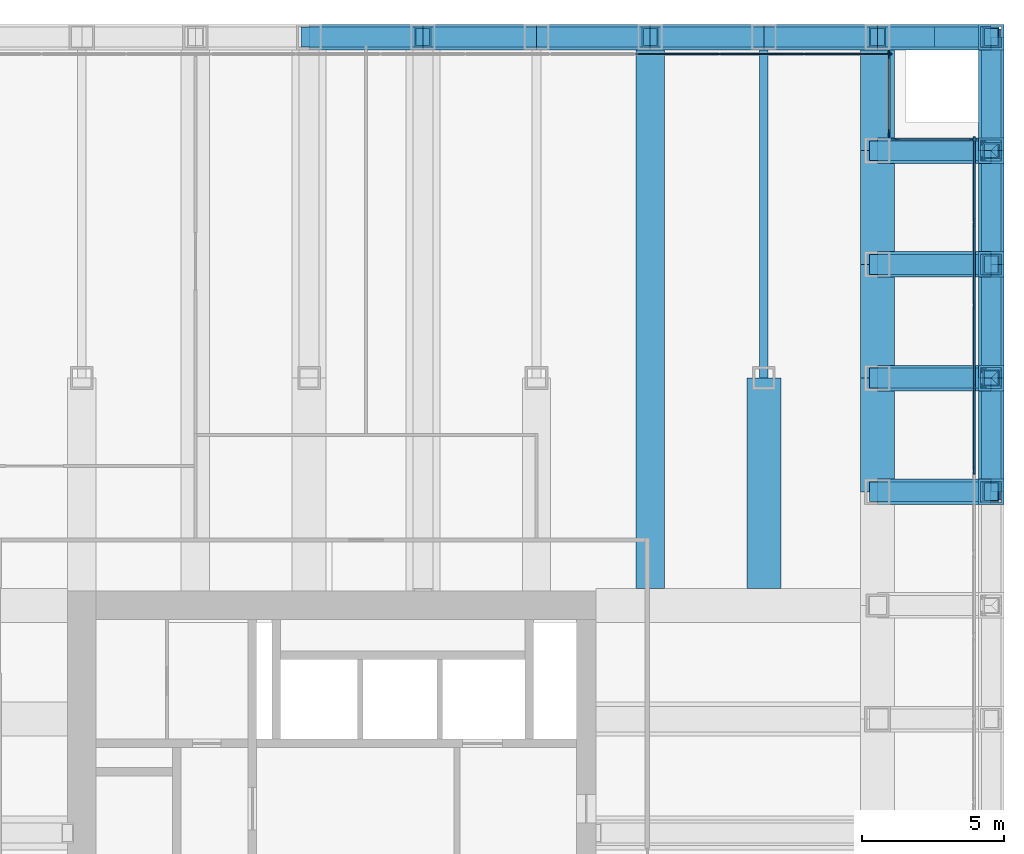
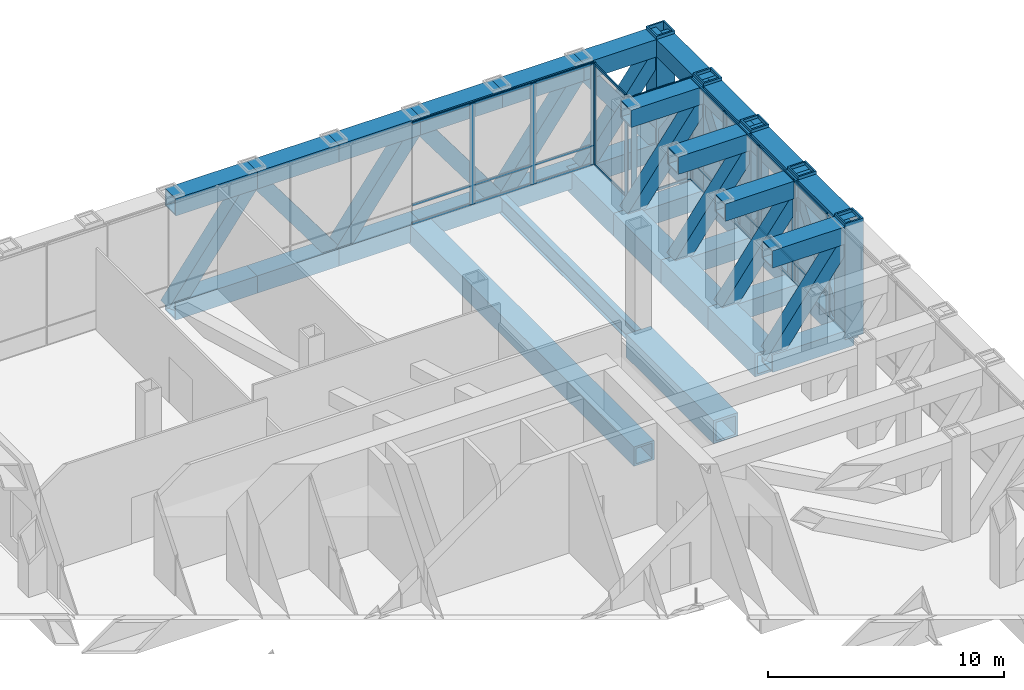
# One storey, part 7 of 12: 57 members, 35 beams, 4 elements without a shape of their own.
"""IFC4 building model written with IfcOpenShell, lengths in metres."""

from ifc_helpers import new_model, si_unit, direction, frame, origin, origin_2d, place, context, subcontext, project, spatial, rectangle, hollow_rectangle, i_section, extrude, material, material_profile, profile_set, type_object, element, aggregate, save


model = new_model("IFC4")

# Units and contexts
model_context = context("Model", 3, precision=1e-05, world=origin(), true_north=direction((0.0, 1.0)))
body_context = subcontext(model_context, "Body", "Model", "MODEL_VIEW")
ifc_project = project(units=[si_unit("LENGTHUNIT", "METRE"), si_unit("AREAUNIT", "SQUARE_METRE"), si_unit("VOLUMEUNIT", "CUBIC_METRE"), si_unit("PLANEANGLEUNIT", "RADIAN"), si_unit("MASSUNIT", "GRAM", prefix="KILO")], contexts=[model_context])

# Site, building, storey
site_placement = place(None, origin())
site = spatial("IfcSite", under=ifc_project, at=site_placement, CompositionType="ELEMENT")
building_placement = place(site_placement, origin())
building = spatial("IfcBuilding", under=site, at=building_placement, Name="Rimbunsela Tower", CompositionType="ELEMENT")
storey_placement = place(building_placement, frame((0.0, 0.0, 203.800048828125)))
storey = spatial("IfcBuildingStorey", under=building, at=storey_placement, Name="L49", CompositionType="ELEMENT", Elevation=203.800048828125)

# Beams
ifc_material_1 = material(Name="Steel BJ 55 (fy 410 MPa)", Category="steel")
ifc_material_profile_1 = material_profile(ifc_material_1, hollow_rectangle(XDim=1.0, YDim=1.0, WallThickness=0.10009765625, at=origin_2d()), Name="BOX 1000x1000x100")
ifc_profile_set_1 = profile_set([ifc_material_profile_1], Name="Steel BJ 55 (fy 410 MPa)")
beam_type_1 = type_object("IfcBeamType", Name="Beam BOX 1000x1000x100", PredefinedType="BEAM", material=ifc_profile_set_1)
beam_1_placement = place(storey_placement, frame((38.0, 36.60009765625, -0.650146484375), z_axis=(0.0, 1.0, 0.0), x_axis=(-1.0, 0.0, 0.0)))
element("IfcBeam", 1, at=beam_1_placement, inside=storey, type_object=beam_type_1, Name="Beam B3 L49", PredefinedType="BEAM", context=body_context, shape_type="SweptSolid", body=[
    extrude(hollow_rectangle(XDim=1.0, YDim=1.0, WallThickness=0.10009765625, at=origin_2d()), origin(), (0.0, 0.0, 1.0), 19.39990234375),
])
ifc_material_2 = material(Name="Steel BJ 55 (fy 410 MPa)", Category="steel")
ifc_material_profile_2 = material_profile(ifc_material_2, hollow_rectangle(XDim=1.199951171875, YDim=1.199951171875, WallThickness=0.125, at=origin_2d()), Name="BOX 1200x1200x125")
ifc_profile_set_2 = profile_set([ifc_material_profile_2], Name="Steel BJ 55 (fy 410 MPa)")
beam_type_2 = type_object("IfcBeamType", Name="Beam BOX 1200x1200x125", PredefinedType="BEAM", material=ifc_profile_set_2)
beam_2_placement = place(storey_placement, frame((42.0, 36.60009765625, -0.75), z_axis=(0.0, 1.0, 0.0), x_axis=(-1.0, 0.0, 0.0)))
element("IfcBeam", 2, at=beam_2_placement, inside=storey, type_object=beam_type_2, Name="Beam B4 L49", PredefinedType="BEAM", context=body_context, shape_type="SweptSolid", body=[
    extrude(hollow_rectangle(XDim=1.199951171875, YDim=1.199951171875, WallThickness=0.125, at=origin_2d()), origin(), (0.0, 0.0, 1.0), 7.39990234375),
])
for number, where, z_axis, x_axis, name in (
    (3, (46.0, 40.0, -0.75), (0.0, 1.0, 0.0), (-1.0, 0.0, 0.0), "Beam B4 L49"),
    (4, (46.0, 44.0, -0.75), (0.0, 1.0, 0.0), (-1.0, 0.0, 0.0), "Beam B4 L49"),
    (5, (46.0, 48.0, -0.75), (0.0, 1.0, 0.0), (-1.0, 0.0, 0.0), "Beam B4 L49"),
    (6, (46.0, 52.0, -0.75), (0.0, 1.0, 0.0), (-1.0, 0.0, 0.0), "Beam B4 L49"),
):
    element("IfcBeam", number, at=place(storey_placement, frame(where, z_axis=z_axis, x_axis=x_axis)), inside=storey, type_object=beam_type_2, Name=name, PredefinedType="BEAM", context=body_context, shape_type="SweptSolid", body=[
        extrude(hollow_rectangle(XDim=1.199951171875, YDim=1.199951171875, WallThickness=0.125, at=origin_2d()), origin(), (0.0, 0.0, 1.0), 4.0),
    ])
ifc_material_3 = material(Name="Steel BJ 55 (fy 410 MPa)", Category="steel")
ifc_material_profile_3 = material_profile(ifc_material_3, i_section(OverallWidth=0.300048828125, OverallDepth=0.89990234375, WebThickness=0.01611328125, FlangeThickness=0.028076171875, FilletRadius=0.028076171875, at=origin_2d()), Name="H 900x300x16x28")
ifc_profile_set_3 = profile_set([ifc_material_profile_3], Name="Steel BJ 55 (fy 410 MPa)")
beam_type_3 = type_object("IfcBeamType", Name="Beam H 900x300x16x28", PredefinedType="BEAM", material=ifc_profile_set_3)
beam_3_placement = place(storey_placement, frame((42.0, 44.0, -0.60009765625), z_axis=(0.0, 1.0, 0.0), x_axis=(-1.0, 0.0, 0.0)))
element("IfcBeam", 7, at=beam_3_placement, inside=storey, type_object=beam_type_3, Name="Beam B2 L49", PredefinedType="BEAM", context=body_context, shape_type="SweptSolid", body=[
    extrude(i_section(OverallWidth=0.300048828125, OverallDepth=0.89990234375, WebThickness=0.01611328125, FlangeThickness=0.028076171875, FilletRadius=0.028076171875, at=origin_2d()), origin(), (0.0, 0.0, 1.0), 12.0),
])

# Curtain wall, members
ifc_material_4 = material(Name="Aluminium curtain wall", Category="aluminium")
curtain_wall_type_1 = type_object("IfcCurtainWallType", Name="Plant floor louvre wall", PredefinedType="USERDEFINED", material=ifc_material_4)
curtain_wall_1_placement = place(storey_placement, origin())
curtain_wall_1 = element("IfcCurtainWall", 8, at=curtain_wall_1_placement, inside=storey, type_object=curtain_wall_type_1, Name="Plant floor louvre wall L49", ObjectType="PLANT FLOOR LOUVRE WALL", PredefinedType="USERDEFINED")
ifc_material_5 = material(Name="Aluminium mullion", Category="aluminium")
ifc_material_profile_4 = material_profile(ifc_material_5, rectangle(XDim=0.06005859375, YDim=0.25, at=origin_2d()), Name="Mullion 60x250")
ifc_profile_set_4 = profile_set([ifc_material_profile_4], Name="Aluminium mullion")
member_type_1 = type_object("IfcMemberType", Name="Curtain wall mullion 60x250", PredefinedType="MULLION", material=ifc_profile_set_4)
member_1_placement = place(storey_placement, frame((49.39990234375, 40.742919921875, 0.0), z_axis=(0.0, 0.0, 1.0), x_axis=(-1.0, 0.0, 0.0)))
member_1 = element("IfcMember", 9, at=member_1_placement, type_object=member_type_1, Name="CW3 mullion 11", PredefinedType="MULLION", context=body_context, shape_type="SweptSolid", body=[
    extrude(rectangle(XDim=0.06005859375, YDim=0.25, at=origin_2d()), origin(), (0.0, 0.0, 1.0), 5.25),
])
member_2_placement = place(storey_placement, frame((49.39990234375, 43.6572265625, 0.0), z_axis=(0.0, 0.0, 1.0), x_axis=(-1.0, 0.0, 0.0)))
member_2 = element("IfcMember", 10, at=member_2_placement, type_object=member_type_1, Name="CW3 mullion 12", PredefinedType="MULLION", context=body_context, shape_type="SweptSolid", body=[
    extrude(rectangle(XDim=0.06005859375, YDim=0.25, at=origin_2d()), origin(), (0.0, 0.0, 1.0), 5.25),
])
member_3_placement = place(storey_placement, frame((49.39990234375, 46.571533203125, 0.0), z_axis=(0.0, 0.0, 1.0), x_axis=(-1.0, 0.0, 0.0)))
member_3 = element("IfcMember", 11, at=member_3_placement, type_object=member_type_1, Name="CW3 mullion 13", PredefinedType="MULLION", context=body_context, shape_type="SweptSolid", body=[
    extrude(rectangle(XDim=0.06005859375, YDim=0.25, at=origin_2d()), origin(), (0.0, 0.0, 1.0), 5.25),
])
member_4_placement = place(storey_placement, frame((49.39990234375, 49.485595703125, 0.0), z_axis=(0.0, 0.0, 1.0), x_axis=(-1.0, 0.0, 0.0)))
member_4 = element("IfcMember", 12, at=member_4_placement, type_object=member_type_1, Name="CW3 mullion 14", PredefinedType="MULLION", context=body_context, shape_type="SweptSolid", body=[
    extrude(rectangle(XDim=0.06005859375, YDim=0.25, at=origin_2d()), origin(), (0.0, 0.0, 1.0), 5.25),
])
member_5_placement = place(storey_placement, frame((49.39990234375, 52.3701171875, 0.0), z_axis=(0.0, 0.0, 1.0), x_axis=(-1.0, 0.0, 0.0)))
member_5 = element("IfcMember", 13, at=member_5_placement, type_object=member_type_1, Name="CW3 mullion 15", PredefinedType="MULLION", context=body_context, shape_type="SweptSolid", body=[
    extrude(rectangle(XDim=0.06005859375, YDim=0.25, at=origin_2d()), origin(), (0.0, 0.0, 1.0), 5.25),
])

ifc_material_6 = material(Name="Aluminium curtain wall", Category="aluminium")
curtain_wall_type_2 = type_object("IfcCurtainWallType", Name="Spandrel wall", PredefinedType="USERDEFINED", material=ifc_material_6)
curtain_wall_2_placement = place(storey_placement, origin())
curtain_wall_2 = element("IfcCurtainWall", 14, at=curtain_wall_2_placement, inside=storey, type_object=curtain_wall_type_2, Name="Spandrel wall L49", ObjectType="SPANDREL WALL", PredefinedType="USERDEFINED")
member_6_placement = place(storey_placement, frame((49.3701171875, 52.39990234375, 0.0), z_axis=(0.0, 0.0, 1.0), x_axis=(0.0, -1.0, 0.0)))
member_6 = element("IfcMember", 15, at=member_6_placement, type_object=member_type_1, Name="CW7 mullion 1", PredefinedType="MULLION", context=body_context, shape_type="SweptSolid", body=[
    extrude(rectangle(XDim=0.06005859375, YDim=0.25, at=origin_2d()), origin(), (0.0, 0.0, 1.0), 5.25),
])
member_7_placement = place(storey_placement, frame((46.625, 52.39990234375, 0.0), z_axis=(0.0, 0.0, 1.0), x_axis=(0.0, -1.0, 0.0)))
member_7 = element("IfcMember", 16, at=member_7_placement, type_object=member_type_1, Name="CW7 mullion 2", PredefinedType="MULLION", context=body_context, shape_type="SweptSolid", body=[
    extrude(rectangle(XDim=0.06005859375, YDim=0.25, at=origin_2d()), origin(), (0.0, 0.0, 1.0), 5.25),
])

ifc_material_7 = material(Name="Aluminium curtain wall", Category="aluminium")
curtain_wall_type_3 = type_object("IfcCurtainWallType", Name="Corner glazing", PredefinedType="USERDEFINED", material=ifc_material_7)
curtain_wall_3_placement = place(storey_placement, origin())
curtain_wall_3 = element("IfcCurtainWall", 17, at=curtain_wall_3_placement, inside=storey, type_object=curtain_wall_type_3, Name="Corner glazing L49", ObjectType="CORNER GLAZING", PredefinedType="USERDEFINED")
member_8_placement = place(storey_placement, frame((46.39990234375, 52.625, 0.0), z_axis=(0.0, 0.0, 1.0), x_axis=(-1.0, 0.0, 0.0)))
member_8 = element("IfcMember", 18, at=member_8_placement, type_object=member_type_1, Name="CW5 mullion 1", PredefinedType="MULLION", context=body_context, shape_type="SweptSolid", body=[
    extrude(rectangle(XDim=0.06005859375, YDim=0.25, at=origin_2d()), origin(), (0.0, 0.0, 1.0), 5.25),
])
member_9_placement = place(storey_placement, frame((46.39990234375, 55.3701171875, 0.0), z_axis=(0.0, 0.0, 1.0), x_axis=(-1.0, 0.0, 0.0)))
member_9 = element("IfcMember", 19, at=member_9_placement, type_object=member_type_1, Name="CW5 mullion 2", PredefinedType="MULLION", context=body_context, shape_type="SweptSolid", body=[
    extrude(rectangle(XDim=0.06005859375, YDim=0.25, at=origin_2d()), origin(), (0.0, 0.0, 1.0), 5.25),
])

curtain_wall_4_placement = place(storey_placement, origin())
curtain_wall_4 = element("IfcCurtainWall", 20, at=curtain_wall_4_placement, inside=storey, type_object=curtain_wall_type_1, Name="Plant floor louvre wall L49", ObjectType="PLANT FLOOR LOUVRE WALL", PredefinedType="USERDEFINED")
member_10_placement = place(storey_placement, frame((46.3701171875, 55.39990234375, 0.0), z_axis=(0.0, 0.0, 1.0), x_axis=(0.0, -1.0, 0.0)))
member_10 = element("IfcMember", 21, at=member_10_placement, type_object=member_type_1, Name="CW3 mullion 1", PredefinedType="MULLION", context=body_context, shape_type="SweptSolid", body=[
    extrude(rectangle(XDim=0.06005859375, YDim=0.25, at=origin_2d()), origin(), (0.0, 0.0, 1.0), 5.25),
])
member_11_placement = place(storey_placement, frame((43.418212890625, 55.39990234375, 0.0), z_axis=(0.0, 0.0, 1.0), x_axis=(0.0, -1.0, 0.0)))
member_11 = element("IfcMember", 22, at=member_11_placement, type_object=member_type_1, Name="CW3 mullion 2", PredefinedType="MULLION", context=body_context, shape_type="SweptSolid", body=[
    extrude(rectangle(XDim=0.06005859375, YDim=0.25, at=origin_2d()), origin(), (0.0, 0.0, 1.0), 5.25),
])
member_12_placement = place(storey_placement, frame((40.436279296875, 55.39990234375, 0.0), z_axis=(0.0, 0.0, 1.0), x_axis=(0.0, -1.0, 0.0)))
member_12 = element("IfcMember", 23, at=member_12_placement, type_object=member_type_1, Name="CW3 mullion 3", PredefinedType="MULLION", context=body_context, shape_type="SweptSolid", body=[
    extrude(rectangle(XDim=0.06005859375, YDim=0.25, at=origin_2d()), origin(), (0.0, 0.0, 1.0), 5.25),
])

# Member
ifc_material_8 = material(Name="Aluminium transom", Category="aluminium")
ifc_material_profile_5 = material_profile(ifc_material_8, rectangle(XDim=0.06005859375, YDim=0.1201171875, at=origin_2d()), Name="Transom 60x120")
ifc_profile_set_5 = profile_set([ifc_material_profile_5], Name="Aluminium transom")
member_type_2 = type_object("IfcMemberType", Name="Curtain wall transom 60x120", PredefinedType="USERDEFINED", material=ifc_profile_set_5)
member_13_placement = place(storey_placement, frame((49.39990234375, 40.77294921875, 0.030029296875), z_axis=(0.0, 1.0, 0.0), x_axis=(-1.0, 0.0, 0.0)))
member_13 = element("IfcMember", 24, at=member_13_placement, type_object=member_type_2, Name="CW3 transom 11.1", ObjectType="TRANSOM", PredefinedType="USERDEFINED", context=body_context, shape_type="SweptSolid", body=[
    extrude(rectangle(XDim=0.06005859375, YDim=0.1201171875, at=origin_2d()), origin(), (0.0, 0.0, 1.0), 2.854248046875),
])

member_14_placement = place(storey_placement, frame((49.39990234375, 40.77294921875, 1.0), z_axis=(0.0, 1.0, 0.0), x_axis=(-1.0, 0.0, 0.0)))
member_14 = element("IfcMember", 25, at=member_14_placement, type_object=member_type_2, Name="CW3 transom 11.2", ObjectType="TRANSOM", PredefinedType="USERDEFINED", context=body_context, shape_type="SweptSolid", body=[
    extrude(rectangle(XDim=0.06005859375, YDim=0.1201171875, at=origin_2d()), origin(), (0.0, 0.0, 1.0), 2.854248046875),
])

member_15_placement = place(storey_placement, frame((49.39990234375, 40.77294921875, 5.219970703125), z_axis=(0.0, 1.0, 0.0), x_axis=(-1.0, 0.0, 0.0)))
member_15 = element("IfcMember", 26, at=member_15_placement, type_object=member_type_2, Name="CW3 transom 11.3", ObjectType="TRANSOM", PredefinedType="USERDEFINED", context=body_context, shape_type="SweptSolid", body=[
    extrude(rectangle(XDim=0.06005859375, YDim=0.1201171875, at=origin_2d()), origin(), (0.0, 0.0, 1.0), 2.854248046875),
])

member_16_placement = place(storey_placement, frame((49.39990234375, 43.687255859375, 0.030029296875), z_axis=(0.0, 1.0, 0.0), x_axis=(-1.0, 0.0, 0.0)))
member_16 = element("IfcMember", 27, at=member_16_placement, type_object=member_type_2, Name="CW3 transom 12.1", ObjectType="TRANSOM", PredefinedType="USERDEFINED", context=body_context, shape_type="SweptSolid", body=[
    extrude(rectangle(XDim=0.06005859375, YDim=0.1201171875, at=origin_2d()), origin(), (0.0, 0.0, 1.0), 2.854248046875),
])

member_17_placement = place(storey_placement, frame((49.39990234375, 43.687255859375, 1.0), z_axis=(0.0, 1.0, 0.0), x_axis=(-1.0, 0.0, 0.0)))
member_17 = element("IfcMember", 28, at=member_17_placement, type_object=member_type_2, Name="CW3 transom 12.2", ObjectType="TRANSOM", PredefinedType="USERDEFINED", context=body_context, shape_type="SweptSolid", body=[
    extrude(rectangle(XDim=0.06005859375, YDim=0.1201171875, at=origin_2d()), origin(), (0.0, 0.0, 1.0), 2.854248046875),
])

member_18_placement = place(storey_placement, frame((49.39990234375, 43.687255859375, 5.219970703125), z_axis=(0.0, 1.0, 0.0), x_axis=(-1.0, 0.0, 0.0)))
member_18 = element("IfcMember", 29, at=member_18_placement, type_object=member_type_2, Name="CW3 transom 12.3", ObjectType="TRANSOM", PredefinedType="USERDEFINED", context=body_context, shape_type="SweptSolid", body=[
    extrude(rectangle(XDim=0.06005859375, YDim=0.1201171875, at=origin_2d()), origin(), (0.0, 0.0, 1.0), 2.854248046875),
])

member_19_placement = place(storey_placement, frame((49.39990234375, 46.601318359375, 0.030029296875), z_axis=(0.0, 1.0, 0.0), x_axis=(-1.0, 0.0, 0.0)))
member_19 = element("IfcMember", 30, at=member_19_placement, type_object=member_type_2, Name="CW3 transom 13.1", ObjectType="TRANSOM", PredefinedType="USERDEFINED", context=body_context, shape_type="SweptSolid", body=[
    extrude(rectangle(XDim=0.06005859375, YDim=0.1201171875, at=origin_2d()), origin(), (0.0, 0.0, 1.0), 2.8544921875),
])

member_20_placement = place(storey_placement, frame((49.39990234375, 46.601318359375, 1.0), z_axis=(0.0, 1.0, 0.0), x_axis=(-1.0, 0.0, 0.0)))
member_20 = element("IfcMember", 31, at=member_20_placement, type_object=member_type_2, Name="CW3 transom 13.2", ObjectType="TRANSOM", PredefinedType="USERDEFINED", context=body_context, shape_type="SweptSolid", body=[
    extrude(rectangle(XDim=0.06005859375, YDim=0.1201171875, at=origin_2d()), origin(), (0.0, 0.0, 1.0), 2.8544921875),
])

member_21_placement = place(storey_placement, frame((49.39990234375, 46.601318359375, 5.219970703125), z_axis=(0.0, 1.0, 0.0), x_axis=(-1.0, 0.0, 0.0)))
member_21 = element("IfcMember", 32, at=member_21_placement, type_object=member_type_2, Name="CW3 transom 13.3", ObjectType="TRANSOM", PredefinedType="USERDEFINED", context=body_context, shape_type="SweptSolid", body=[
    extrude(rectangle(XDim=0.06005859375, YDim=0.1201171875, at=origin_2d()), origin(), (0.0, 0.0, 1.0), 2.8544921875),
])

member_22_placement = place(storey_placement, frame((49.39990234375, 49.515625, 0.030029296875), z_axis=(0.0, 1.0, 0.0), x_axis=(-1.0, 0.0, 0.0)))
member_22 = element("IfcMember", 33, at=member_22_placement, type_object=member_type_2, Name="CW3 transom 14.1", ObjectType="TRANSOM", PredefinedType="USERDEFINED", context=body_context, shape_type="SweptSolid", body=[
    extrude(rectangle(XDim=0.06005859375, YDim=0.1201171875, at=origin_2d()), origin(), (0.0, 0.0, 1.0), 2.824462890625),
])

member_23_placement = place(storey_placement, frame((49.39990234375, 49.515625, 1.0), z_axis=(0.0, 1.0, 0.0), x_axis=(-1.0, 0.0, 0.0)))
member_23 = element("IfcMember", 34, at=member_23_placement, type_object=member_type_2, Name="CW3 transom 14.2", ObjectType="TRANSOM", PredefinedType="USERDEFINED", context=body_context, shape_type="SweptSolid", body=[
    extrude(rectangle(XDim=0.06005859375, YDim=0.1201171875, at=origin_2d()), origin(), (0.0, 0.0, 1.0), 2.824462890625),
])

member_24_placement = place(storey_placement, frame((49.39990234375, 49.515625, 5.219970703125), z_axis=(0.0, 1.0, 0.0), x_axis=(-1.0, 0.0, 0.0)))
member_24 = element("IfcMember", 35, at=member_24_placement, type_object=member_type_2, Name="CW3 transom 14.3", ObjectType="TRANSOM", PredefinedType="USERDEFINED", context=body_context, shape_type="SweptSolid", body=[
    extrude(rectangle(XDim=0.06005859375, YDim=0.1201171875, at=origin_2d()), origin(), (0.0, 0.0, 1.0), 2.824462890625),
])

aggregate(curtain_wall_1, [member_1, member_2, member_3, member_4, member_5, member_13, member_14, member_15, member_16, member_17, member_18, member_19, member_20, member_21, member_22, member_23, member_24])

member_25_placement = place(storey_placement, frame((49.340087890625, 52.39990234375, 0.030029296875), z_axis=(-1.0, 0.0, 0.0), x_axis=(0.0, -1.0, 0.0)))
member_25 = element("IfcMember", 36, at=member_25_placement, type_object=member_type_2, Name="CW7 transom 1.1", ObjectType="TRANSOM", PredefinedType="USERDEFINED", context=body_context, shape_type="SweptSolid", body=[
    extrude(rectangle(XDim=0.06005859375, YDim=0.1201171875, at=origin_2d()), origin(), (0.0, 0.0, 1.0), 2.68505859375),
])

member_26_placement = place(storey_placement, frame((49.340087890625, 52.39990234375, 5.219970703125), z_axis=(-1.0, 0.0, 0.0), x_axis=(0.0, -1.0, 0.0)))
member_26 = element("IfcMember", 37, at=member_26_placement, type_object=member_type_2, Name="CW7 transom 1.2", ObjectType="TRANSOM", PredefinedType="USERDEFINED", context=body_context, shape_type="SweptSolid", body=[
    extrude(rectangle(XDim=0.06005859375, YDim=0.1201171875, at=origin_2d()), origin(), (0.0, 0.0, 1.0), 2.68505859375),
])

aggregate(curtain_wall_2, [member_6, member_7, member_25, member_26])

member_27_placement = place(storey_placement, frame((46.39990234375, 52.655029296875, 0.030029296875), z_axis=(0.0, 1.0, 0.0), x_axis=(-1.0, 0.0, 0.0)))
member_27 = element("IfcMember", 38, at=member_27_placement, type_object=member_type_2, Name="CW5 transom 1.1", ObjectType="TRANSOM", PredefinedType="USERDEFINED", context=body_context, shape_type="SweptSolid", body=[
    extrude(rectangle(XDim=0.06005859375, YDim=0.1201171875, at=origin_2d()), origin(), (0.0, 0.0, 1.0), 2.68505859375),
])

member_28_placement = place(storey_placement, frame((46.39990234375, 52.655029296875, 5.219970703125), z_axis=(0.0, 1.0, 0.0), x_axis=(-1.0, 0.0, 0.0)))
member_28 = element("IfcMember", 39, at=member_28_placement, type_object=member_type_2, Name="CW5 transom 1.2", ObjectType="TRANSOM", PredefinedType="USERDEFINED", context=body_context, shape_type="SweptSolid", body=[
    extrude(rectangle(XDim=0.06005859375, YDim=0.1201171875, at=origin_2d()), origin(), (0.0, 0.0, 1.0), 2.68505859375),
])

aggregate(curtain_wall_3, [member_8, member_9, member_27, member_28])

member_29_placement = place(storey_placement, frame((46.340087890625, 55.39990234375, 0.030029296875), z_axis=(-1.0, 0.0, 0.0), x_axis=(0.0, -1.0, 0.0)))
member_29 = element("IfcMember", 40, at=member_29_placement, type_object=member_type_2, Name="CW3 transom 1.1", ObjectType="TRANSOM", PredefinedType="USERDEFINED", context=body_context, shape_type="SweptSolid", body=[
    extrude(rectangle(XDim=0.06005859375, YDim=0.1201171875, at=origin_2d()), origin(), (0.0, 0.0, 1.0), 2.891845703125),
])

member_30_placement = place(storey_placement, frame((46.340087890625, 55.39990234375, 1.0), z_axis=(-1.0, 0.0, 0.0), x_axis=(0.0, -1.0, 0.0)))
member_30 = element("IfcMember", 41, at=member_30_placement, type_object=member_type_2, Name="CW3 transom 1.2", ObjectType="TRANSOM", PredefinedType="USERDEFINED", context=body_context, shape_type="SweptSolid", body=[
    extrude(rectangle(XDim=0.06005859375, YDim=0.1201171875, at=origin_2d()), origin(), (0.0, 0.0, 1.0), 2.891845703125),
])

member_31_placement = place(storey_placement, frame((46.340087890625, 55.39990234375, 5.219970703125), z_axis=(-1.0, 0.0, 0.0), x_axis=(0.0, -1.0, 0.0)))
member_31 = element("IfcMember", 42, at=member_31_placement, type_object=member_type_2, Name="CW3 transom 1.3", ObjectType="TRANSOM", PredefinedType="USERDEFINED", context=body_context, shape_type="SweptSolid", body=[
    extrude(rectangle(XDim=0.06005859375, YDim=0.1201171875, at=origin_2d()), origin(), (0.0, 0.0, 1.0), 2.891845703125),
])

member_32_placement = place(storey_placement, frame((43.38818359375, 55.39990234375, 0.030029296875), z_axis=(-1.0, 0.0, 0.0), x_axis=(0.0, -1.0, 0.0)))
member_32 = element("IfcMember", 43, at=member_32_placement, type_object=member_type_2, Name="CW3 transom 2.1", ObjectType="TRANSOM", PredefinedType="USERDEFINED", context=body_context, shape_type="SweptSolid", body=[
    extrude(rectangle(XDim=0.06005859375, YDim=0.1201171875, at=origin_2d()), origin(), (0.0, 0.0, 1.0), 2.921875),
])

member_33_placement = place(storey_placement, frame((43.38818359375, 55.39990234375, 1.0), z_axis=(-1.0, 0.0, 0.0), x_axis=(0.0, -1.0, 0.0)))
member_33 = element("IfcMember", 44, at=member_33_placement, type_object=member_type_2, Name="CW3 transom 2.2", ObjectType="TRANSOM", PredefinedType="USERDEFINED", context=body_context, shape_type="SweptSolid", body=[
    extrude(rectangle(XDim=0.06005859375, YDim=0.1201171875, at=origin_2d()), origin(), (0.0, 0.0, 1.0), 2.921875),
])

member_34_placement = place(storey_placement, frame((43.38818359375, 55.39990234375, 5.219970703125), z_axis=(-1.0, 0.0, 0.0), x_axis=(0.0, -1.0, 0.0)))
member_34 = element("IfcMember", 45, at=member_34_placement, type_object=member_type_2, Name="CW3 transom 2.3", ObjectType="TRANSOM", PredefinedType="USERDEFINED", context=body_context, shape_type="SweptSolid", body=[
    extrude(rectangle(XDim=0.06005859375, YDim=0.1201171875, at=origin_2d()), origin(), (0.0, 0.0, 1.0), 2.921875),
])

member_35_placement = place(storey_placement, frame((40.40625, 55.39990234375, 0.030029296875), z_axis=(-1.0, 0.0, 0.0), x_axis=(0.0, -1.0, 0.0)))
member_35 = element("IfcMember", 46, at=member_35_placement, type_object=member_type_2, Name="CW3 transom 3.1", ObjectType="TRANSOM", PredefinedType="USERDEFINED", context=body_context, shape_type="SweptSolid", body=[
    extrude(rectangle(XDim=0.06005859375, YDim=0.1201171875, at=origin_2d()), origin(), (0.0, 0.0, 1.0), 2.921630859375),
])

member_36_placement = place(storey_placement, frame((40.40625, 55.39990234375, 1.0), z_axis=(-1.0, 0.0, 0.0), x_axis=(0.0, -1.0, 0.0)))
member_36 = element("IfcMember", 47, at=member_36_placement, type_object=member_type_2, Name="CW3 transom 3.2", ObjectType="TRANSOM", PredefinedType="USERDEFINED", context=body_context, shape_type="SweptSolid", body=[
    extrude(rectangle(XDim=0.06005859375, YDim=0.1201171875, at=origin_2d()), origin(), (0.0, 0.0, 1.0), 2.921630859375),
])

member_37_placement = place(storey_placement, frame((40.40625, 55.39990234375, 5.219970703125), z_axis=(-1.0, 0.0, 0.0), x_axis=(0.0, -1.0, 0.0)))
member_37 = element("IfcMember", 48, at=member_37_placement, type_object=member_type_2, Name="CW3 transom 3.3", ObjectType="TRANSOM", PredefinedType="USERDEFINED", context=body_context, shape_type="SweptSolid", body=[
    extrude(rectangle(XDim=0.06005859375, YDim=0.1201171875, at=origin_2d()), origin(), (0.0, 0.0, 1.0), 2.921630859375),
])

aggregate(curtain_wall_4, [member_10, member_11, member_12, member_29, member_30, member_31, member_32, member_33, member_34, member_35, member_36, member_37])

# Beams
ifc_material_9 = material(Name="Steel BJ 55 (fy 410 MPa)", Category="steel")
ifc_material_profile_6 = material_profile(ifc_material_9, hollow_rectangle(XDim=0.89990234375, YDim=0.89990234375, WallThickness=0.06005859375, at=origin_2d()), Name="BOX 900x900x60")
ifc_profile_set_6 = profile_set([ifc_material_profile_6], Name="Steel BJ 55 (fy 410 MPa)")
beam_type_4 = type_object("IfcBeamType", Name="Truss chord BOX 900x900x60", PredefinedType="USERDEFINED", material=ifc_profile_set_6)
for number, where, z_axis, x_axis, name in (
    (49, (26.0, 56.0, 4.800048828125), (1.0, 0.0, 0.0), (0.0, 1.0, 0.0), "Truss top chord TC4 N face L49"),
    (50, (30.0, 56.0, 4.800048828125), (1.0, 0.0, 0.0), (0.0, 1.0, 0.0), "Truss top chord TC4 N face L49"),
    (51, (34.0, 56.0, 4.800048828125), (1.0, 0.0, 0.0), (0.0, 1.0, 0.0), "Truss top chord TC4 N face L49"),
    (52, (38.0, 56.0, 4.800048828125), (1.0, 0.0, 0.0), (0.0, 1.0, 0.0), "Truss top chord TC4 N face L49"),
    (53, (42.0, 56.0, 4.800048828125), (1.0, 0.0, 0.0), (0.0, 1.0, 0.0), "Truss top chord TC4 N face L49"),
    (54, (46.0, 56.0, 4.800048828125), (1.0, 0.0, 0.0), (0.0, 1.0, 0.0), "Truss top chord TC4 N face L49"),
    (55, (50.0, 40.0, 4.800048828125), (0.0, 1.0, 0.0), (-1.0, 0.0, 0.0), "Truss top chord TC4 E face L49"),
    (56, (50.0, 44.0, 4.800048828125), (0.0, 1.0, 0.0), (-1.0, 0.0, 0.0), "Truss top chord TC4 E face L49"),
    (57, (50.0, 48.0, 4.800048828125), (0.0, 1.0, 0.0), (-1.0, 0.0, 0.0), "Truss top chord TC4 E face L49"),
    (58, (50.0, 52.0, 4.800048828125), (0.0, 1.0, 0.0), (-1.0, 0.0, 0.0), "Truss top chord TC4 E face L49"),
    (59, (26.0, 56.0, -0.60009765625), (1.0, 0.0, 0.0), (0.0, 1.0, 0.0), "Truss bottom chord TC4 N face L49"),
    (60, (30.0, 56.0, -0.60009765625), (1.0, 0.0, 0.0), (0.0, 1.0, 0.0), "Truss bottom chord TC4 N face L49"),
    (61, (34.0, 56.0, -0.60009765625), (1.0, 0.0, 0.0), (0.0, 1.0, 0.0), "Truss bottom chord TC4 N face L49"),
    (62, (38.0, 56.0, -0.60009765625), (1.0, 0.0, 0.0), (0.0, 1.0, 0.0), "Truss bottom chord TC4 N face L49"),
    (63, (42.0, 56.0, -0.60009765625), (1.0, 0.0, 0.0), (0.0, 1.0, 0.0), "Truss bottom chord TC4 N face L49"),
    (64, (46.0, 56.0, -0.60009765625), (1.0, 0.0, 0.0), (0.0, 1.0, 0.0), "Truss bottom chord TC4 N face L49"),
    (65, (46.0, 40.0, -0.60009765625), (1.0, 0.0, 0.0), (0.0, 1.0, 0.0), "Cantilever truss bottom chord TC4 15/M L49"),
    (66, (46.0, 40.0, 4.800048828125), (1.0, 0.0, 0.0), (0.0, 1.0, 0.0), "Cantilever truss top chord TC4 15/M L49"),
    (67, (46.0, 44.0, -0.60009765625), (1.0, 0.0, 0.0), (0.0, 1.0, 0.0), "Cantilever truss bottom chord TC4 15/N L49"),
    (68, (46.0, 44.0, 4.800048828125), (1.0, 0.0, 0.0), (0.0, 1.0, 0.0), "Cantilever truss top chord TC4 15/N L49"),
    (69, (46.0, 48.0, -0.60009765625), (1.0, 0.0, 0.0), (0.0, 1.0, 0.0), "Cantilever truss bottom chord TC4 15/P L49"),
    (70, (46.0, 48.0, 4.800048828125), (1.0, 0.0, 0.0), (0.0, 1.0, 0.0), "Cantilever truss top chord TC4 15/P L49"),
    (71, (46.0, 52.0, -0.60009765625), (1.0, 0.0, 0.0), (0.0, 1.0, 0.0), "Cantilever truss bottom chord TC4 15/Q L49"),
    (72, (46.0, 52.0, 4.800048828125), (1.0, 0.0, 0.0), (0.0, 1.0, 0.0), "Cantilever truss top chord TC4 15/Q L49"),
    (73, (50.0, 40.0, -0.60009765625), (0.0, 1.0, 0.0), (-1.0, 0.0, 0.0), "Truss bottom chord TC4 E face L49"),
    (74, (50.0, 44.0, -0.60009765625), (0.0, 1.0, 0.0), (-1.0, 0.0, 0.0), "Truss bottom chord TC4 E face L49"),
    (75, (50.0, 48.0, -0.60009765625), (0.0, 1.0, 0.0), (-1.0, 0.0, 0.0), "Truss bottom chord TC4 E face L49"),
    (76, (50.0, 52.0, -0.60009765625), (0.0, 1.0, 0.0), (-1.0, 0.0, 0.0), "Truss bottom chord TC4 E face L49"),
):
    element("IfcBeam", number, at=place(storey_placement, frame(where, z_axis=z_axis, x_axis=x_axis)), inside=storey, type_object=beam_type_4, Name=name, ObjectType="TRUSS CHORD", PredefinedType="USERDEFINED", context=body_context, shape_type="SweptSolid", body=[
        extrude(hollow_rectangle(XDim=0.89990234375, YDim=0.89990234375, WallThickness=0.06005859375, at=origin_2d()), origin(), (0.0, 0.0, 1.0), 4.0),
    ])

# Members
ifc_material_10 = material(Name="Steel BJ 55 (fy 410 MPa)", Category="steel")
ifc_material_profile_7 = material_profile(ifc_material_10, hollow_rectangle(XDim=0.699951171875, YDim=0.699951171875, WallThickness=0.050048828125, at=origin_2d()), Name="BOX 700x700x50")
ifc_profile_set_7 = profile_set([ifc_material_profile_7], Name="Steel BJ 55 (fy 410 MPa)")
member_type_3 = type_object("IfcMemberType", Name="Truss diagonal BOX 700x700x50", PredefinedType="BRACE", material=ifc_profile_set_7)
for number, where, z_axis, x_axis, name in (
    (77, (26.0, 56.0, -0.60009765625), (0.595217124844, 0.0, 0.803564916041), (0.0, 1.0, 0.0), "Truss diagonal TD4 N face L49"),
    (78, (30.0, 56.0, 4.800048828125), (0.595217124844, 0.0, -0.803564916041), (0.0, 1.0, 0.0), "Truss diagonal TD4 N face L49"),
    (79, (34.0, 56.0, -0.60009765625), (0.595217124844, 0.0, 0.803564916041), (0.0, 1.0, 0.0), "Truss diagonal TD4 N face L49"),
    (80, (38.0, 56.0, 4.800048828125), (0.595217124844, 0.0, -0.803564916041), (0.0, 1.0, 0.0), "Truss diagonal TD4 N face L49"),
    (81, (42.0, 56.0, -0.60009765625), (0.595217124844, 0.0, 0.803564916041), (0.0, 1.0, 0.0), "Truss diagonal TD4 N face L49"),
    (82, (46.0, 56.0, 4.800048828125), (0.595217124844, 0.0, -0.803564916041), (0.0, 1.0, 0.0), "Truss diagonal TD4 N face L49"),
    (83, (50.0, 40.0, -0.60009765625), (0.0, 0.595217124844, 0.803564916041), (-1.0, 0.0, 0.0), "Truss diagonal TD4 E face L49"),
    (84, (50.0, 44.0, 4.800048828125), (0.0, 0.595217124844, -0.803564916041), (-1.0, 0.0, 0.0), "Truss diagonal TD4 E face L49"),
    (85, (50.0, 48.0, -0.60009765625), (0.0, 0.595217124844, 0.803564916041), (-1.0, 0.0, 0.0), "Truss diagonal TD4 E face L49"),
    (86, (50.0, 52.0, 4.800048828125), (0.0, 0.595217124844, -0.803564916041), (-1.0, 0.0, 0.0), "Truss diagonal TD4 E face L49"),
    (87, (46.0, 40.0, -0.60009765625), (0.595217124844, 0.0, 0.803564916041), (0.0, 1.0, 0.0), "Cantilever truss diagonal TD4 15/M L49"),
    (88, (46.0, 44.0, -0.60009765625), (0.595217124844, 0.0, 0.803564916041), (0.0, 1.0, 0.0), "Cantilever truss diagonal TD4 15/N L49"),
    (89, (46.0, 48.0, -0.60009765625), (0.595217124844, 0.0, 0.803564916041), (0.0, 1.0, 0.0), "Cantilever truss diagonal TD4 15/P L49"),
    (90, (46.0, 52.0, -0.60009765625), (0.595217124844, 0.0, 0.803564916041), (0.0, 1.0, 0.0), "Cantilever truss diagonal TD4 15/Q L49"),
    (91, (46.0, 56.0, -0.60009765625), (0.595217124844, 0.0, 0.803564916041), (0.0, 1.0, 0.0), "Cantilever truss diagonal TD4 15/R L49"),
):
    element("IfcMember", number, at=place(storey_placement, frame(where, z_axis=z_axis, x_axis=x_axis)), inside=storey, type_object=member_type_3, Name=name, PredefinedType="BRACE", context=body_context, shape_type="SweptSolid", body=[
        extrude(hollow_rectangle(XDim=0.699951171875, YDim=0.699951171875, WallThickness=0.050048828125, at=origin_2d()), origin(), (0.0, 0.0, 1.0), 6.72021484375),
    ])
ifc_material_11 = material(Name="Steel BJ 55 (fy 410 MPa)", Category="steel")
ifc_material_profile_8 = material_profile(ifc_material_11, hollow_rectangle(XDim=0.89990234375, YDim=0.89990234375, WallThickness=0.080078125, at=origin_2d()), Name="BOX 900x900x80")
ifc_profile_set_8 = profile_set([ifc_material_profile_8], Name="Steel BJ 55 (fy 410 MPa)")
member_type_4 = type_object("IfcMemberType", Name="Truss post BOX 900x900x80", PredefinedType="POST", material=ifc_profile_set_8)
for number, where, z_axis, x_axis, name in (
    (92, (50.0, 40.0, -0.60009765625), (0.0, 0.0, 1.0), (1.0, 0.0, 0.0), "Truss post TP3 15/M L49"),
    (93, (50.0, 44.0, -0.60009765625), (0.0, 0.0, 1.0), (1.0, 0.0, 0.0), "Truss post TP3 15/N L49"),
    (94, (50.0, 48.0, -0.60009765625), (0.0, 0.0, 1.0), (1.0, 0.0, 0.0), "Truss post TP3 15/P L49"),
    (95, (50.0, 52.0, -0.60009765625), (0.0, 0.0, 1.0), (1.0, 0.0, 0.0), "Truss post TP3 15/Q L49"),
    (96, (50.0, 56.0, -0.60009765625), (0.0, 0.0, 1.0), (1.0, 0.0, 0.0), "Truss post TP3 15/R L49"),
):
    element("IfcMember", number, at=place(storey_placement, frame(where, z_axis=z_axis, x_axis=x_axis)), inside=storey, type_object=member_type_4, Name=name, PredefinedType="POST", context=body_context, shape_type="SweptSolid", body=[
        extrude(hollow_rectangle(XDim=0.89990234375, YDim=0.89990234375, WallThickness=0.080078125, at=origin_2d()), origin(), (0.0, 0.0, 1.0), 6.0),
    ])

save(model, "model.ifc")
